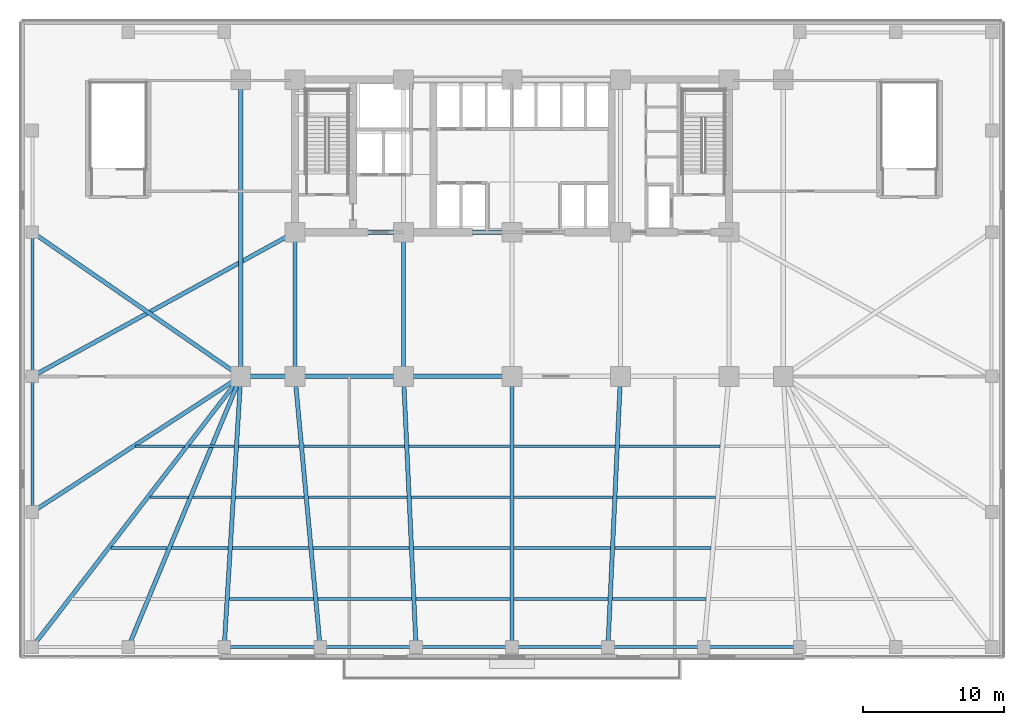
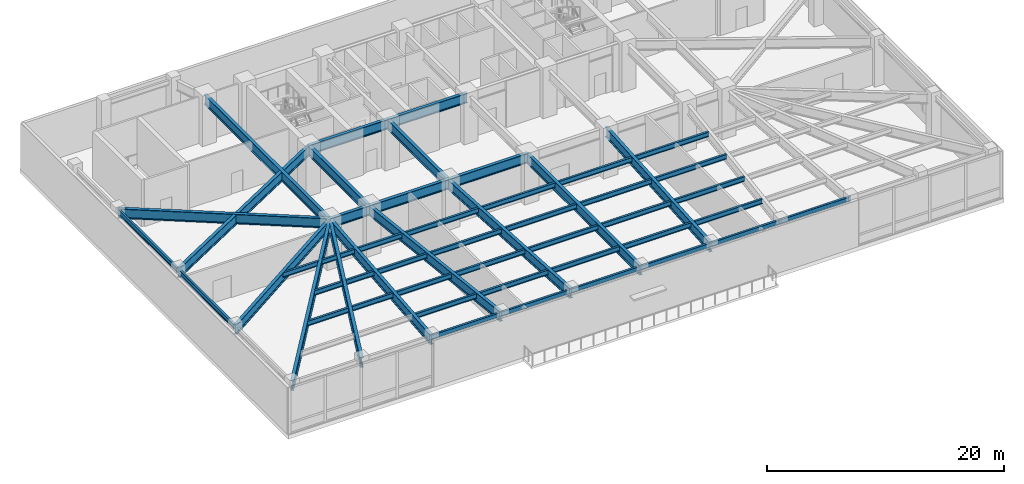
# One storey, part 3 of 15: 52 beams.
"""IFC4 building model written with IfcOpenShell, lengths in metres."""

from ifc_helpers import new_model, si_unit, direction, frame, origin, origin_2d, place, context, subcontext, project, spatial, i_section, extrude, material, material_profile, profile_set, type_object, element, save


model = new_model("IFC4")

# Units and contexts
model_context = context("Model", 3, precision=1e-05, world=origin(), true_north=direction((0.0, 1.0)))
body_context = subcontext(model_context, "Body", "Model", "MODEL_VIEW")
ifc_project = project(units=[si_unit("LENGTHUNIT", "METRE"), si_unit("AREAUNIT", "SQUARE_METRE"), si_unit("VOLUMEUNIT", "CUBIC_METRE"), si_unit("PLANEANGLEUNIT", "RADIAN"), si_unit("MASSUNIT", "GRAM", prefix="KILO")], contexts=[model_context])

# Site, building, storey
site_placement = place(None, origin())
site = spatial("IfcSite", under=ifc_project, at=site_placement, CompositionType="ELEMENT")
building_placement = place(site_placement, origin())
building = spatial("IfcBuilding", under=site, at=building_placement, Name="Yelkora Congress Tower", CompositionType="ELEMENT")
storey_placement = place(building_placement, frame((0.0, 0.0, 25.199951171875)))
storey = spatial("IfcBuildingStorey", under=building, at=storey_placement, Name="L05", CompositionType="ELEMENT", Elevation=25.199951171875)

# Beams
ifc_material_1 = material(Name="Steel S355J2", Category="steel")
ifc_material_profile_1 = material_profile(ifc_material_1, i_section(OverallWidth=0.199951171875, OverallDepth=0.5, WebThickness=0.01025390625, FlangeThickness=0.01611328125, FilletRadius=0.02099609375, at=origin_2d()), Name="IPE 500")
ifc_profile_set_1 = profile_set([ifc_material_profile_1], Name="Steel S355J2")
beam_type_1 = type_object("IfcBeamType", Name="BM-JOIST-IPE500", PredefinedType="JOIST", material=ifc_profile_set_1)
beam_1_placement = place(storey_placement, frame((18.397705078125, 9.449951171875, 4.530029296875), z_axis=(1.0, 0.0, 0.0), x_axis=(0.0, 1.0, 0.0)))
element("IfcBeam", 1, at=beam_1_placement, inside=storey, type_object=beam_type_1, Name="L05 Composite Floor Joist 3", PredefinedType="JOIST", context=body_context, shape_type="SweptSolid", body=[
    extrude(i_section(OverallWidth=0.199951171875, OverallDepth=0.5, WebThickness=0.01025390625, FlangeThickness=0.01611328125, FilletRadius=0.02099609375, at=origin_2d()), origin(), (0.0, 0.0, 1.0), 5.9462890625),
])
for number, where, z_axis, x_axis, name in (
    (2, (24.6640625, 9.449951171875, 4.530029296875), (1.0, 0.0, 0.0), (0.0, 1.0, 0.0), "L05 Composite Floor Joist 4"),
    (3, (31.612060546875, 9.449951171875, 4.530029296875), (1.0, 0.0, 0.0), (0.0, 1.0, 0.0), "L05 Composite Floor Joist 5"),
    (4, (38.56005859375, 9.449951171875, 4.530029296875), (1.0, 0.0, 0.0), (0.0, 1.0, 0.0), "L05 Composite Floor Joist 6"),
    (5, (45.508056640625, 9.449951171875, 4.530029296875), (1.0, 0.0, 0.0), (0.0, 1.0, 0.0), "L05 Composite Floor Joist 7"),
):
    element("IfcBeam", number, at=place(storey_placement, frame(where, z_axis=z_axis, x_axis=x_axis)), inside=storey, type_object=beam_type_1, Name=name, PredefinedType="JOIST", context=body_context, shape_type="SweptSolid", body=[
        extrude(i_section(OverallWidth=0.199951171875, OverallDepth=0.5, WebThickness=0.01025390625, FlangeThickness=0.01611328125, FilletRadius=0.02099609375, at=origin_2d()), origin(), (0.0, 0.0, 1.0), 6.6279296875),
    ])
beam_2_placement = place(storey_placement, frame((10.001708984375, 13.050048828125, 4.530029296875), z_axis=(1.0, 0.0, 0.0), x_axis=(0.0, 1.0, 0.0)))
element("IfcBeam", 6, at=beam_2_placement, inside=storey, type_object=beam_type_1, Name="L05 Composite Floor Joist 11", PredefinedType="JOIST", context=body_context, shape_type="SweptSolid", body=[
    extrude(i_section(OverallWidth=0.199951171875, OverallDepth=0.5, WebThickness=0.01025390625, FlangeThickness=0.01611328125, FilletRadius=0.02099609375, at=origin_2d()), origin(), (0.0, 0.0, 1.0), 3.988037109375),
])
beam_3_placement = place(storey_placement, frame((14.309814453125, 13.050048828125, 4.530029296875), z_axis=(1.0, 0.0, 0.0), x_axis=(0.0, 1.0, 0.0)))
element("IfcBeam", 7, at=beam_3_placement, inside=storey, type_object=beam_type_1, Name="L05 Composite Floor Joist 12", PredefinedType="JOIST", context=body_context, shape_type="SweptSolid", body=[
    extrude(i_section(OverallWidth=0.199951171875, OverallDepth=0.5, WebThickness=0.01025390625, FlangeThickness=0.01611328125, FilletRadius=0.02099609375, at=origin_2d()), origin(), (0.0, 0.0, 1.0), 3.98779296875),
])
beam_4_placement = place(storey_placement, frame((18.61767578125, 13.050048828125, 4.530029296875), z_axis=(1.0, 0.0, 0.0), x_axis=(0.0, 1.0, 0.0)))
element("IfcBeam", 8, at=beam_4_placement, inside=storey, type_object=beam_type_1, Name="L05 Composite Floor Joist 13", PredefinedType="JOIST", context=body_context, shape_type="SweptSolid", body=[
    extrude(i_section(OverallWidth=0.199951171875, OverallDepth=0.5, WebThickness=0.01025390625, FlangeThickness=0.01611328125, FilletRadius=0.02099609375, at=origin_2d()), origin(), (0.0, 0.0, 1.0), 5.3916015625),
])
for number, where, z_axis, x_axis, name in (
    (9, (24.329345703125, 13.050048828125, 4.530029296875), (1.0, 0.0, 0.0), (0.0, 1.0, 0.0), "L05 Composite Floor Joist 14"),
    (10, (31.444580078125, 13.050048828125, 4.530029296875), (1.0, 0.0, 0.0), (0.0, 1.0, 0.0), "L05 Composite Floor Joist 15"),
):
    element("IfcBeam", number, at=place(storey_placement, frame(where, z_axis=z_axis, x_axis=x_axis)), inside=storey, type_object=beam_type_1, Name=name, PredefinedType="JOIST", context=body_context, shape_type="SweptSolid", body=[
        extrude(i_section(OverallWidth=0.199951171875, OverallDepth=0.5, WebThickness=0.01025390625, FlangeThickness=0.01611328125, FilletRadius=0.02099609375, at=origin_2d()), origin(), (0.0, 0.0, 1.0), 6.79541015625),
    ])
beam_5_placement = place(storey_placement, frame((38.56005859375, 13.050048828125, 4.530029296875), z_axis=(1.0, 0.0, 0.0), x_axis=(0.0, 1.0, 0.0)))
element("IfcBeam", 11, at=beam_5_placement, inside=storey, type_object=beam_type_1, Name="L05 Composite Floor Joist 16", PredefinedType="JOIST", context=body_context, shape_type="SweptSolid", body=[
    extrude(i_section(OverallWidth=0.199951171875, OverallDepth=0.5, WebThickness=0.01025390625, FlangeThickness=0.01611328125, FilletRadius=0.02099609375, at=origin_2d()), origin(), (0.0, 0.0, 1.0), 6.795166015625),
])
beam_6_placement = place(storey_placement, frame((45.67529296875, 13.050048828125, 4.530029296875), z_axis=(1.0, 0.0, 0.0), x_axis=(0.0, 1.0, 0.0)))
element("IfcBeam", 12, at=beam_6_placement, inside=storey, type_object=beam_type_1, Name="L05 Composite Floor Joist 17", PredefinedType="JOIST", context=body_context, shape_type="SweptSolid", body=[
    extrude(i_section(OverallWidth=0.199951171875, OverallDepth=0.5, WebThickness=0.01025390625, FlangeThickness=0.01611328125, FilletRadius=0.02099609375, at=origin_2d()), origin(), (0.0, 0.0, 1.0), 6.79541015625),
])
beam_7_placement = place(storey_placement, frame((12.7744140625, 16.64990234375, 4.530029296875), z_axis=(1.0, 0.0, 0.0), x_axis=(0.0, 1.0, 0.0)))
element("IfcBeam", 13, at=beam_7_placement, inside=storey, type_object=beam_type_1, Name="L05 Composite Floor Joist 21", PredefinedType="JOIST", context=body_context, shape_type="SweptSolid", body=[
    extrude(i_section(OverallWidth=0.199951171875, OverallDepth=0.5, WebThickness=0.01025390625, FlangeThickness=0.01611328125, FilletRadius=0.02099609375, at=origin_2d()), origin(), (0.0, 0.0, 1.0), 2.711669921875),
])
beam_8_placement = place(storey_placement, frame((15.80615234375, 16.64990234375, 4.530029296875), z_axis=(1.0, 0.0, 0.0), x_axis=(0.0, 1.0, 0.0)))
element("IfcBeam", 14, at=beam_8_placement, inside=storey, type_object=beam_type_1, Name="L05 Composite Floor Joist 22", PredefinedType="JOIST", context=body_context, shape_type="SweptSolid", body=[
    extrude(i_section(OverallWidth=0.199951171875, OverallDepth=0.5, WebThickness=0.01025390625, FlangeThickness=0.01611328125, FilletRadius=0.02099609375, at=origin_2d()), origin(), (0.0, 0.0, 1.0), 2.71142578125),
])
beam_9_placement = place(storey_placement, frame((18.837646484375, 16.64990234375, 4.530029296875), z_axis=(1.0, 0.0, 0.0), x_axis=(0.0, 1.0, 0.0)))
element("IfcBeam", 15, at=beam_9_placement, inside=storey, type_object=beam_type_1, Name="L05 Composite Floor Joist 23", PredefinedType="JOIST", context=body_context, shape_type="SweptSolid", body=[
    extrude(i_section(OverallWidth=0.199951171875, OverallDepth=0.5, WebThickness=0.01025390625, FlangeThickness=0.01611328125, FilletRadius=0.02099609375, at=origin_2d()), origin(), (0.0, 0.0, 1.0), 4.837158203125),
])
beam_10_placement = place(storey_placement, frame((23.99462890625, 16.64990234375, 4.530029296875), z_axis=(1.0, 0.0, 0.0), x_axis=(0.0, 1.0, 0.0)))
element("IfcBeam", 16, at=beam_10_placement, inside=storey, type_object=beam_type_1, Name="L05 Composite Floor Joist 24", PredefinedType="JOIST", context=body_context, shape_type="SweptSolid", body=[
    extrude(i_section(OverallWidth=0.199951171875, OverallDepth=0.5, WebThickness=0.01025390625, FlangeThickness=0.01611328125, FilletRadius=0.02099609375, at=origin_2d()), origin(), (0.0, 0.0, 1.0), 6.962890625),
])
for number, where, z_axis, x_axis, name in (
    (17, (31.27734375, 16.64990234375, 4.530029296875), (1.0, 0.0, 0.0), (0.0, 1.0, 0.0), "L05 Composite Floor Joist 25"),
    (18, (38.56005859375, 16.64990234375, 4.530029296875), (1.0, 0.0, 0.0), (0.0, 1.0, 0.0), "L05 Composite Floor Joist 26"),
):
    element("IfcBeam", number, at=place(storey_placement, frame(where, z_axis=z_axis, x_axis=x_axis)), inside=storey, type_object=beam_type_1, Name=name, PredefinedType="JOIST", context=body_context, shape_type="SweptSolid", body=[
        extrude(i_section(OverallWidth=0.199951171875, OverallDepth=0.5, WebThickness=0.01025390625, FlangeThickness=0.01611328125, FilletRadius=0.02099609375, at=origin_2d()), origin(), (0.0, 0.0, 1.0), 6.962646484375),
    ])
beam_11_placement = place(storey_placement, frame((45.842529296875, 16.64990234375, 4.530029296875), z_axis=(1.0, 0.0, 0.0), x_axis=(0.0, 1.0, 0.0)))
element("IfcBeam", 19, at=beam_11_placement, inside=storey, type_object=beam_type_1, Name="L05 Composite Floor Joist 27", PredefinedType="JOIST", context=body_context, shape_type="SweptSolid", body=[
    extrude(i_section(OverallWidth=0.199951171875, OverallDepth=0.5, WebThickness=0.01025390625, FlangeThickness=0.01611328125, FilletRadius=0.02099609375, at=origin_2d()), origin(), (0.0, 0.0, 1.0), 6.962890625),
])
beam_12_placement = place(storey_placement, frame((11.75439453125, 20.25, 4.530029296875), z_axis=(1.0, 0.0, 0.0), x_axis=(0.0, 1.0, 0.0)))
element("IfcBeam", 20, at=beam_12_placement, inside=storey, type_object=beam_type_1, Name="L05 Composite Floor Joist 32", PredefinedType="JOIST", context=body_context, shape_type="SweptSolid", body=[
    extrude(i_section(OverallWidth=0.199951171875, OverallDepth=0.5, WebThickness=0.01025390625, FlangeThickness=0.01611328125, FilletRadius=0.02099609375, at=origin_2d()), origin(), (0.0, 0.0, 1.0), 3.472900390625),
])
beam_13_placement = place(storey_placement, frame((15.54736328125, 20.25, 4.530029296875), z_axis=(1.0, 0.0, 0.0), x_axis=(0.0, 1.0, 0.0)))
element("IfcBeam", 21, at=beam_13_placement, inside=storey, type_object=beam_type_1, Name="L05 Composite Floor Joist 33", PredefinedType="JOIST", context=body_context, shape_type="SweptSolid", body=[
    extrude(i_section(OverallWidth=0.199951171875, OverallDepth=0.5, WebThickness=0.01025390625, FlangeThickness=0.01611328125, FilletRadius=0.02099609375, at=origin_2d()), origin(), (0.0, 0.0, 1.0), 3.190185546875),
])
beam_14_placement = place(storey_placement, frame((19.0576171875, 20.25, 4.530029296875), z_axis=(1.0, 0.0, 0.0), x_axis=(0.0, 1.0, 0.0)))
element("IfcBeam", 22, at=beam_14_placement, inside=storey, type_object=beam_type_1, Name="L05 Composite Floor Joist 34", PredefinedType="JOIST", context=body_context, shape_type="SweptSolid", body=[
    extrude(i_section(OverallWidth=0.199951171875, OverallDepth=0.5, WebThickness=0.01025390625, FlangeThickness=0.01611328125, FilletRadius=0.02099609375, at=origin_2d()), origin(), (0.0, 0.0, 1.0), 4.282470703125),
])
for number, where, z_axis, x_axis, name in (
    (23, (23.66015625, 20.25, 4.530029296875), (1.0, 0.0, 0.0), (0.0, 1.0, 0.0), "L05 Composite Floor Joist 35"),
    (24, (31.110107421875, 20.25, 4.530029296875), (1.0, 0.0, 0.0), (0.0, 1.0, 0.0), "L05 Composite Floor Joist 36"),
    (25, (38.56005859375, 20.25, 4.530029296875), (1.0, 0.0, 0.0), (0.0, 1.0, 0.0), "L05 Composite Floor Joist 37"),
    (26, (46.010009765625, 20.25, 4.530029296875), (1.0, 0.0, 0.0), (0.0, 1.0, 0.0), "L05 Composite Floor Joist 38"),
):
    element("IfcBeam", number, at=place(storey_placement, frame(where, z_axis=z_axis, x_axis=x_axis)), inside=storey, type_object=beam_type_1, Name=name, PredefinedType="JOIST", context=body_context, shape_type="SweptSolid", body=[
        extrude(i_section(OverallWidth=0.199951171875, OverallDepth=0.5, WebThickness=0.01025390625, FlangeThickness=0.01611328125, FilletRadius=0.02099609375, at=origin_2d()), origin(), (0.0, 0.0, 1.0), 7.1298828125),
    ])
ifc_material_profile_2 = material_profile(ifc_material_1, i_section(OverallWidth=0.199951171875, OverallDepth=0.5, WebThickness=0.01025390625, FlangeThickness=0.01611328125, FilletRadius=0.02099609375, at=origin_2d()), Name="IPE 500")
ifc_profile_set_2 = profile_set([ifc_material_profile_2], Name="Steel S355J2")
beam_type_2 = type_object("IfcBeamType", Name="BM-SPAN-IPE500", PredefinedType="SPANDREL", material=ifc_profile_set_2)
for number, where, z_axis, x_axis, name in (
    (27, (18.030029296875, 6.050048828125, 4.530029296875), (1.0, 0.0, 0.0), (0.0, 1.0, 0.0), "L05 Perimeter Beam 4"),
    (28, (24.820068359375, 6.050048828125, 4.530029296875), (1.0, 0.0, 0.0), (0.0, 1.0, 0.0), "L05 Perimeter Beam 5"),
):
    element("IfcBeam", number, at=place(storey_placement, frame(where, z_axis=z_axis, x_axis=x_axis)), inside=storey, type_object=beam_type_2, Name=name, PredefinedType="SPANDREL", context=body_context, shape_type="SweptSolid", body=[
        extrude(i_section(OverallWidth=0.199951171875, OverallDepth=0.5, WebThickness=0.01025390625, FlangeThickness=0.01611328125, FilletRadius=0.02099609375, at=origin_2d()), origin(), (0.0, 0.0, 1.0), 6.7900390625),
    ])
beam_15_placement = place(storey_placement, frame((31.610107421875, 6.050048828125, 4.530029296875), z_axis=(1.0, 0.0, 0.0), x_axis=(0.0, 1.0, 0.0)))
element("IfcBeam", 29, at=beam_15_placement, inside=storey, type_object=beam_type_2, Name="L05 Perimeter Beam 6", PredefinedType="SPANDREL", context=body_context, shape_type="SweptSolid", body=[
    extrude(i_section(OverallWidth=0.199951171875, OverallDepth=0.5, WebThickness=0.01025390625, FlangeThickness=0.01611328125, FilletRadius=0.02099609375, at=origin_2d()), origin(), (0.0, 0.0, 1.0), 6.789794921875),
])
for number, where, z_axis, x_axis, name in (
    (30, (38.39990234375, 6.050048828125, 4.530029296875), (1.0, 0.0, 0.0), (0.0, 1.0, 0.0), "L05 Perimeter Beam 7"),
    (31, (45.18994140625, 6.050048828125, 4.530029296875), (1.0, 0.0, 0.0), (0.0, 1.0, 0.0), "L05 Perimeter Beam 8"),
    (32, (51.97998046875, 6.050048828125, 4.530029296875), (1.0, 0.0, 0.0), (0.0, 1.0, 0.0), "L05 Perimeter Beam 9"),
):
    element("IfcBeam", number, at=place(storey_placement, frame(where, z_axis=z_axis, x_axis=x_axis)), inside=storey, type_object=beam_type_2, Name=name, PredefinedType="SPANDREL", context=body_context, shape_type="SweptSolid", body=[
        extrude(i_section(OverallWidth=0.199951171875, OverallDepth=0.5, WebThickness=0.01025390625, FlangeThickness=0.01611328125, FilletRadius=0.02099609375, at=origin_2d()), origin(), (0.0, 0.0, 1.0), 6.7900390625),
    ])
beam_16_placement = place(storey_placement, frame((4.449951171875, 35.39990234375, 4.530029296875), z_axis=(0.0, -1.0, 0.0), x_axis=(1.0, 0.0, 0.0)))
element("IfcBeam", 33, at=beam_16_placement, inside=storey, type_object=beam_type_2, Name="L05 Perimeter Beam 23", PredefinedType="SPANDREL", context=body_context, shape_type="SweptSolid", body=[
    extrude(i_section(OverallWidth=0.199951171875, OverallDepth=0.5, WebThickness=0.01025390625, FlangeThickness=0.01611328125, FilletRadius=0.02099609375, at=origin_2d()), origin(), (0.0, 0.0, 1.0), 10.199951171875),
])
beam_17_placement = place(storey_placement, frame((4.449951171875, 25.199951171875, 4.530029296875), z_axis=(0.0, -1.0, 0.0), x_axis=(1.0, 0.0, 0.0)))
element("IfcBeam", 34, at=beam_17_placement, inside=storey, type_object=beam_type_2, Name="L05 Perimeter Beam 24", PredefinedType="SPANDREL", context=body_context, shape_type="SweptSolid", body=[
    extrude(i_section(OverallWidth=0.199951171875, OverallDepth=0.5, WebThickness=0.01025390625, FlangeThickness=0.01611328125, FilletRadius=0.02099609375, at=origin_2d()), origin(), (0.0, 0.0, 1.0), 9.599853515625),
])
ifc_material_2 = material(Name="Steel S460M", Category="steel")
ifc_material_profile_3 = material_profile(ifc_material_2, i_section(OverallWidth=0.302001953125, OverallDepth=1.008056640625, WebThickness=0.02099609375, FlangeThickness=0.0400390625, FilletRadius=0.030029296875, at=origin_2d()), Name="HEM 1000")
ifc_profile_set_3 = profile_set([ifc_material_profile_3], Name="Steel S460M")
beam_type_3 = type_object("IfcBeamType", Name="BM-XFER-HEM1000", PredefinedType="BEAM", material=ifc_profile_set_3)
beam_18_placement = place(storey_placement, frame((19.199951171875, 25.199951171875, 4.276123046875), z_axis=(1.0, 0.0, 0.0), x_axis=(0.0, 1.0, 0.0)))
element("IfcBeam", 35, at=beam_18_placement, inside=storey, type_object=beam_type_3, Name="L05 Spine Grid D Girder 1", PredefinedType="BEAM", context=body_context, shape_type="SweptSolid", body=[
    extrude(i_section(OverallWidth=0.302001953125, OverallDepth=1.008056640625, WebThickness=0.02099609375, FlangeThickness=0.0400390625, FilletRadius=0.030029296875, at=origin_2d()), origin(), (0.0, 0.0, 1.0), 3.840087890625),
])
for number, where, z_axis, x_axis, name in (
    (36, (23.0400390625, 25.199951171875, 4.276123046875), (1.0, 0.0, 0.0), (0.0, 1.0, 0.0), "L05 Spine Grid D Girder 2"),
    (37, (30.719970703125, 25.199951171875, 4.276123046875), (1.0, 0.0, 0.0), (0.0, 1.0, 0.0), "L05 Spine Grid D Girder 3"),
    (38, (23.0400390625, 35.39990234375, 4.276123046875), (1.0, 0.0, 0.0), (0.0, 1.0, 0.0), "L05 Core South Girder 1"),
    (39, (30.719970703125, 35.39990234375, 4.276123046875), (1.0, 0.0, 0.0), (0.0, 1.0, 0.0), "L05 Core South Girder 2"),
):
    element("IfcBeam", number, at=place(storey_placement, frame(where, z_axis=z_axis, x_axis=x_axis)), inside=storey, type_object=beam_type_3, Name=name, PredefinedType="BEAM", context=body_context, shape_type="SweptSolid", body=[
        extrude(i_section(OverallWidth=0.302001953125, OverallDepth=1.008056640625, WebThickness=0.02099609375, FlangeThickness=0.0400390625, FilletRadius=0.030029296875, at=origin_2d()), origin(), (0.0, 0.0, 1.0), 7.679931640625),
    ])
for number, where, z_axis, x_axis, name in (
    (40, (23.0400390625, 25.199951171875, 4.276123046875), (0.0, 1.0, 0.0), (-1.0, 0.0, 0.0), "L05 Core Tie Girder MC-D1"),
    (41, (30.719970703125, 25.199951171875, 4.276123046875), (0.0, 1.0, 0.0), (-1.0, 0.0, 0.0), "L05 Core Tie Girder MC-D2"),
):
    element("IfcBeam", number, at=place(storey_placement, frame(where, z_axis=z_axis, x_axis=x_axis)), inside=storey, type_object=beam_type_3, Name=name, PredefinedType="BEAM", context=body_context, shape_type="SweptSolid", body=[
        extrude(i_section(OverallWidth=0.302001953125, OverallDepth=1.008056640625, WebThickness=0.02099609375, FlangeThickness=0.0400390625, FilletRadius=0.030029296875, at=origin_2d()), origin(), (0.0, 0.0, 1.0), 10.199951171875),
    ])
beam_19_placement = place(storey_placement, frame((19.199951171875, 25.199951171875, 4.276123046875), z_axis=(0.0, 1.0, 0.0), x_axis=(-1.0, 0.0, 0.0)))
element("IfcBeam", 42, at=beam_19_placement, inside=storey, type_object=beam_type_3, Name="L05 Neck Flank Girder MC-F1", PredefinedType="BEAM", context=body_context, shape_type="SweptSolid", body=[
    extrude(i_section(OverallWidth=0.302001953125, OverallDepth=1.008056640625, WebThickness=0.02099609375, FlangeThickness=0.0400390625, FilletRadius=0.030029296875, at=origin_2d()), origin(), (0.0, 0.0, 1.0), 21.0),
])
beam_20_placement = place(storey_placement, frame((4.449951171875, 6.050048828125, 4.276123046875), z_axis=(0.610212418574, 0.792237845737, 0.0), x_axis=(-0.792237845737, 0.610212418574, 0.0)))
element("IfcBeam", 43, at=beam_20_placement, inside=storey, type_object=beam_type_3, Name="L05 Primary Frame Girder PS01", PredefinedType="BEAM", context=body_context, shape_type="SweptSolid", body=[
    extrude(i_section(OverallWidth=0.302001953125, OverallDepth=1.008056640625, WebThickness=0.02099609375, FlangeThickness=0.0400390625, FilletRadius=0.030029296875, at=origin_2d()), origin(), (0.0, 0.0, 1.0), 24.171875),
])
beam_21_placement = place(storey_placement, frame((11.239990234375, 6.050048828125, 4.276123046875), z_axis=(0.383827816401, 0.923404682334, 0.0), x_axis=(-0.923404682334, 0.383827816401, 0.0)))
element("IfcBeam", 44, at=beam_21_placement, inside=storey, type_object=beam_type_3, Name="L05 Primary Frame Girder PS02", PredefinedType="BEAM", context=body_context, shape_type="SweptSolid", body=[
    extrude(i_section(OverallWidth=0.302001953125, OverallDepth=1.008056640625, WebThickness=0.02099609375, FlangeThickness=0.0400390625, FilletRadius=0.030029296875, at=origin_2d()), origin(), (0.0, 0.0, 1.0), 20.73828125),
])
beam_22_placement = place(storey_placement, frame((18.030029296875, 6.050048828125, 4.276123046875), z_axis=(0.060979146345, 0.99813904027, 0.0), x_axis=(-0.99813904027, 0.060979146345, 0.0)))
element("IfcBeam", 45, at=beam_22_placement, inside=storey, type_object=beam_type_3, Name="L05 Primary Frame Girder PS03", PredefinedType="BEAM", context=body_context, shape_type="SweptSolid", body=[
    extrude(i_section(OverallWidth=0.302001953125, OverallDepth=1.008056640625, WebThickness=0.02099609375, FlangeThickness=0.0400390625, FilletRadius=0.030029296875, at=origin_2d()), origin(), (0.0, 0.0, 1.0), 19.185546875),
])
beam_23_placement = place(storey_placement, frame((24.820068359375, 6.050048828125, 4.276123046875), z_axis=(-0.092553417869, 0.995707720589, 0.0), x_axis=(-0.995707720589, -0.092553417869, 0.0)))
element("IfcBeam", 46, at=beam_23_placement, inside=storey, type_object=beam_type_3, Name="L05 Primary Frame Girder PS04", PredefinedType="BEAM", context=body_context, shape_type="SweptSolid", body=[
    extrude(i_section(OverallWidth=0.302001953125, OverallDepth=1.008056640625, WebThickness=0.02099609375, FlangeThickness=0.0400390625, FilletRadius=0.030029296875, at=origin_2d()), origin(), (0.0, 0.0, 1.0), 19.232421875),
])
beam_24_placement = place(storey_placement, frame((31.610107421875, 6.050048828125, 4.276123046875), z_axis=(-0.046432437641, 0.998921432714, 0.0), x_axis=(-0.998921432714, -0.046432437641, 0.0)))
element("IfcBeam", 47, at=beam_24_placement, inside=storey, type_object=beam_type_3, Name="L05 Primary Frame Girder PS05", PredefinedType="BEAM", context=body_context, shape_type="SweptSolid", body=[
    extrude(i_section(OverallWidth=0.302001953125, OverallDepth=1.008056640625, WebThickness=0.02099609375, FlangeThickness=0.0400390625, FilletRadius=0.030029296875, at=origin_2d()), origin(), (0.0, 0.0, 1.0), 19.170654296875),
])
beam_25_placement = place(storey_placement, frame((38.39990234375, 6.050048828125, 4.276123046875), z_axis=(0.0, 1.0, 0.0), x_axis=(-1.0, 0.0, 0.0)))
element("IfcBeam", 48, at=beam_25_placement, inside=storey, type_object=beam_type_3, Name="L05 Primary Frame Girder PS06", PredefinedType="BEAM", context=body_context, shape_type="SweptSolid", body=[
    extrude(i_section(OverallWidth=0.302001953125, OverallDepth=1.008056640625, WebThickness=0.02099609375, FlangeThickness=0.0400390625, FilletRadius=0.030029296875, at=origin_2d()), origin(), (0.0, 0.0, 1.0), 19.14990234375),
])
beam_26_placement = place(storey_placement, frame((45.18994140625, 6.050048828125, 4.276123046875), z_axis=(0.046432437641, 0.998921432714, 0.0), x_axis=(-0.998921432714, 0.046432437641, 0.0)))
element("IfcBeam", 49, at=beam_26_placement, inside=storey, type_object=beam_type_3, Name="L05 Primary Frame Girder PS07", PredefinedType="BEAM", context=body_context, shape_type="SweptSolid", body=[
    extrude(i_section(OverallWidth=0.302001953125, OverallDepth=1.008056640625, WebThickness=0.02099609375, FlangeThickness=0.0400390625, FilletRadius=0.030029296875, at=origin_2d()), origin(), (0.0, 0.0, 1.0), 19.170654296875),
])
beam_27_placement = place(storey_placement, frame((4.449951171875, 15.60009765625, 4.276123046875), z_axis=(0.83812272066, 0.545481718404, 0.0), x_axis=(-0.545481718404, 0.83812272066, 0.0)))
element("IfcBeam", 50, at=beam_27_placement, inside=storey, type_object=beam_type_3, Name="L05 Primary Frame Girder PW1", PredefinedType="BEAM", context=body_context, shape_type="SweptSolid", body=[
    extrude(i_section(OverallWidth=0.302001953125, OverallDepth=1.008056640625, WebThickness=0.02099609375, FlangeThickness=0.0400390625, FilletRadius=0.030029296875, at=origin_2d()), origin(), (0.0, 0.0, 1.0), 17.598876953125),
])
beam_28_placement = place(storey_placement, frame((4.449951171875, 25.199951171875, 4.276123046875), z_axis=(0.876705282536, 0.48102790727, 0.0), x_axis=(-0.48102790727, 0.876705282536, 0.0)))
element("IfcBeam", 51, at=beam_28_placement, inside=storey, type_object=beam_type_3, Name="L05 Primary Frame Girder PW2", PredefinedType="BEAM", context=body_context, shape_type="SweptSolid", body=[
    extrude(i_section(OverallWidth=0.302001953125, OverallDepth=1.008056640625, WebThickness=0.02099609375, FlangeThickness=0.0400390625, FilletRadius=0.030029296875, at=origin_2d()), origin(), (0.0, 0.0, 1.0), 21.20458984375),
])
beam_29_placement = place(storey_placement, frame((4.449951171875, 35.39990234375, 4.276123046875), z_axis=(0.822494466498, -0.568773111689, 0.0), x_axis=(0.568773111689, 0.822494466498, 0.0)))
element("IfcBeam", 52, at=beam_29_placement, inside=storey, type_object=beam_type_3, Name="L05 Primary Frame Girder PW3", PredefinedType="BEAM", context=body_context, shape_type="SweptSolid", body=[
    extrude(i_section(OverallWidth=0.302001953125, OverallDepth=1.008056640625, WebThickness=0.02099609375, FlangeThickness=0.0400390625, FilletRadius=0.030029296875, at=origin_2d()), origin(), (0.0, 0.0, 1.0), 17.933349609375),
])

save(model, "model.ifc")
